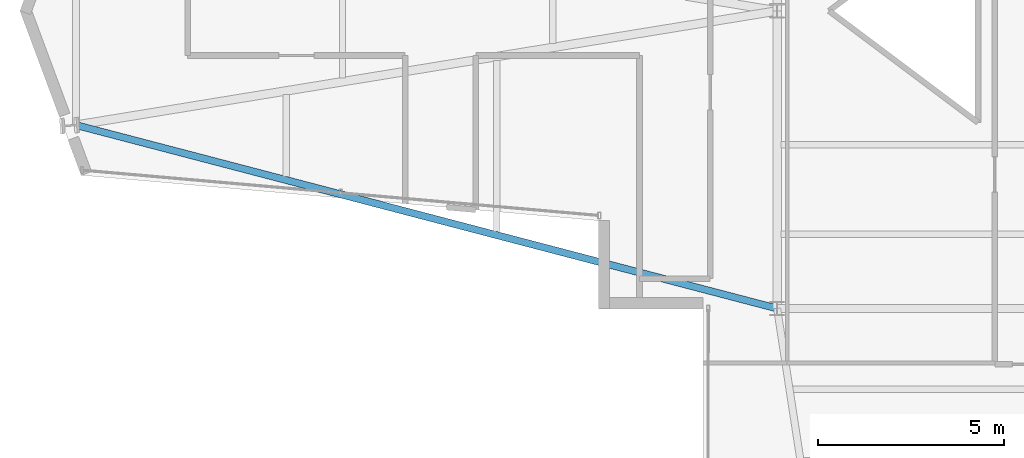
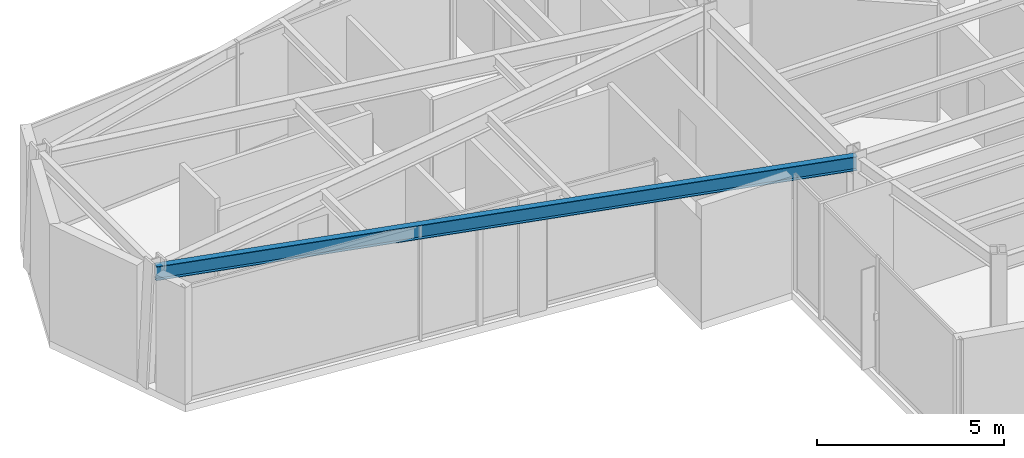
# One storey, part 3 of 25: 1 beam.
"""IFC4 building model written with IfcOpenShell, lengths in metres."""

from ifc_helpers import new_model, si_unit, direction, frame, origin, origin_2d, place, context, subcontext, project, spatial, i_section, extrude, material, material_profile, profile_set, type_object, element, save


model = new_model("IFC4")

# Units and contexts
model_context = context("Model", 3, precision=1e-05, world=origin(), true_north=direction((0.0, 1.0)))
body_context = subcontext(model_context, "Body", "Model", "MODEL_VIEW")
ifc_project = project(units=[si_unit("LENGTHUNIT", "METRE"), si_unit("AREAUNIT", "SQUARE_METRE"), si_unit("VOLUMEUNIT", "CUBIC_METRE"), si_unit("PLANEANGLEUNIT", "RADIAN"), si_unit("MASSUNIT", "GRAM", prefix="KILO")], contexts=[model_context])

# Site, building, storey
site_placement = place(None, origin())
site = spatial("IfcSite", under=ifc_project, at=site_placement, CompositionType="ELEMENT")
building_placement = place(site_placement, origin())
building = spatial("IfcBuilding", under=site, at=building_placement, Name="Veymaron Broadcast Tower", CompositionType="ELEMENT")
storey_placement = place(building_placement, frame((0.0, 0.0, 173.550048828125)))
storey = spatial("IfcBuildingStorey", under=building, at=storey_placement, Name="L40", CompositionType="ELEMENT", Elevation=173.550048828125)

# Beam
ifc_material = material(Name="Structural steel ASTM A992 Gr 50", Category="steel")
ifc_material_profile = material_profile(ifc_material, i_section(OverallWidth=0.19091796875, OverallDepth=0.4599609375, WebThickness=0.010009765625, FlangeThickness=0.01611328125, at=origin_2d()), Name="W460X82")
ifc_profile_set = profile_set([ifc_material_profile], Name="Structural steel ASTM A992 Gr 50")
beam_type = type_object("IfcBeamType", Name="BM-SP1", PredefinedType="SPANDREL", material=ifc_profile_set)
beam_placement = place(storey_placement, frame((12.35400390625, 20.929931640625, 3.579833984375), z_axis=(0.967446560868, -0.253075387711, 0.0), x_axis=(0.253075387711, 0.967446560868, 0.0)))
element("IfcBeam", 1, at=beam_placement, inside=storey, type_object=beam_type, Name="L40 primary structural floor girder", PredefinedType="SPANDREL", context=body_context, shape_type="SweptSolid", body=[
    extrude(i_section(OverallWidth=0.19091796875, OverallDepth=0.4599609375, WebThickness=0.010009765625, FlangeThickness=0.01611328125, at=origin_2d()), origin(), (0.0, 0.0, 1.0), 19.47998046875),
])

save(model, "model.ifc")
